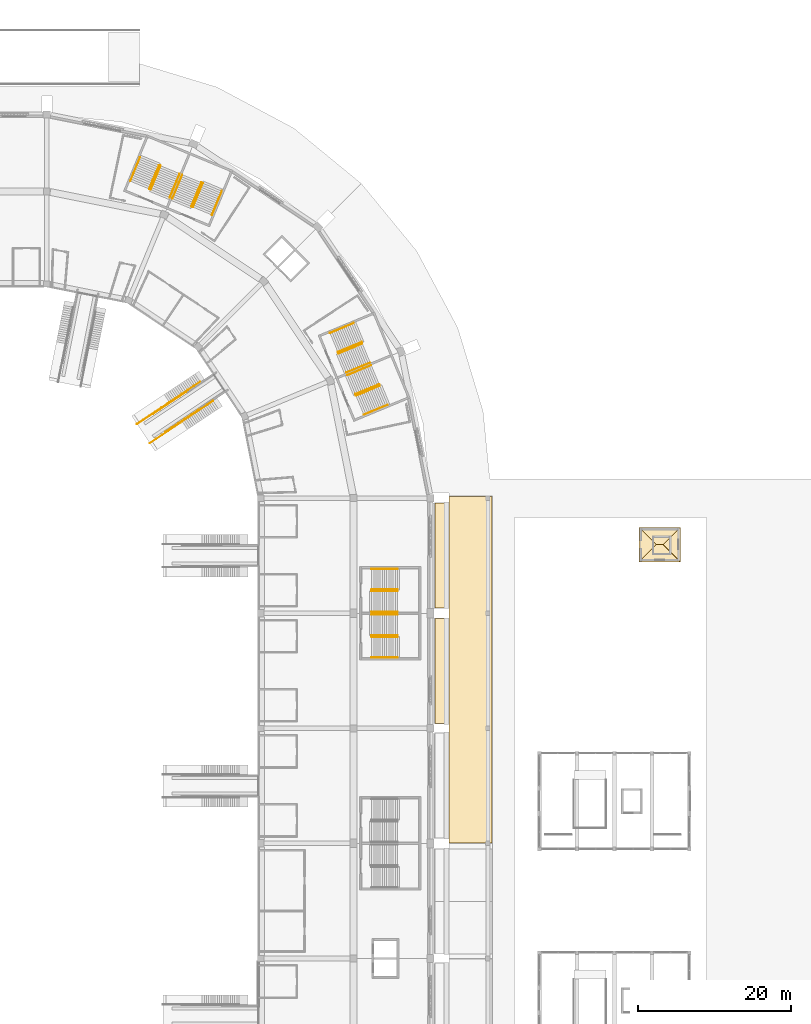
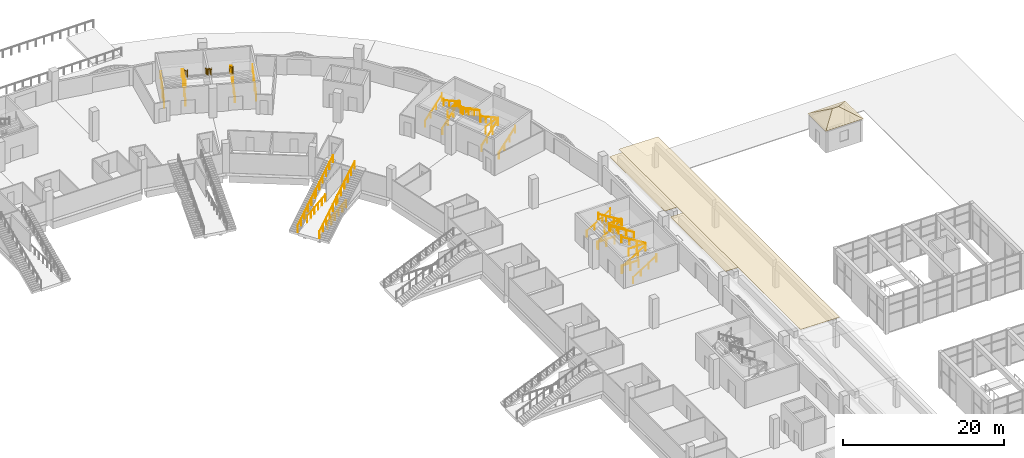
# One storey, part 167 of 175: 38 railings, 7 coverings.
"""IFC4 building model written with IfcOpenShell, lengths in metres."""

import ifcopenshell
import ifcopenshell.guid

model = None  # the IFC model being written
_history = None  # IfcOwnerHistory: only IFC2X3 demands one
_inside = {}  # id of a spatial element -> (the spatial element, [elements in it])
_under = {}  # id of a project, library or spatial element -> (it, [spatial elements below it])
_declared = {}  # id of a project -> (the project, [libraries it declares])
_typed = {}  # id of a type object -> (the type object, [elements of that type])
_made_of = {}  # id of a material, layer set ... -> (it, [elements and type objects made of it])


def new_model(schema):
    """Start an empty IFC model of exactly this schema.

    Asked for "IFC4X3", IfcOpenShell would pick the latest addendum, in which some entities
    have other attributes; the version numbers below select the first issue.
    IFC2X3 requires an IfcOwnerHistory on every rooted entity: one is made here for all.
    """
    global model, _history
    if schema == "IFC4X3":
        model = ifcopenshell.file(schema_version=(4, 3, 0, 0))
    else:
        model = ifcopenshell.file(schema=schema)
    _inside.clear()
    _under.clear()
    _declared.clear()
    _typed.clear()
    _made_of.clear()
    _history = None
    if model.schema == "IFC2X3":
        org = make("IfcOrganization", Name="unknown")
        user = make(
            "IfcPersonAndOrganization",
            ThePerson=make("IfcPerson", FamilyName="unknown"),
            TheOrganization=org,
        )
        app = make(
            "IfcApplication",
            ApplicationDeveloper=org,
            Version="unknown",
            ApplicationFullName="unknown",
            ApplicationIdentifier="unknown",
        )
        _history = make(
            "IfcOwnerHistory",
            OwningUser=user,
            OwningApplication=app,
            ChangeAction="ADDED",
            CreationDate=0,
        )
    return model


def make(cls, **values):
    """One entity of the class cls with the attributes given. An attribute that is None is left unset."""
    return model.create_entity(
        cls, **{name: value for name, value in values.items() if value is not None}
    )


def rooted(cls, **values):
    """An entity with a GlobalId (a new one), such as an element, a storey or a relation."""
    return make(cls, GlobalId=ifcopenshell.guid.new(), OwnerHistory=_history, **values)


def si_unit(unit_type, name, prefix=None):
    """IfcSIUnit, for example si_unit("LENGTHUNIT", "METRE", prefix="MILLI")."""
    return make("IfcSIUnit", UnitType=unit_type, Prefix=prefix, Name=name)


def assignment(units):
    """IfcUnitAssignment: the units of a project."""
    return None if units is None else make("IfcUnitAssignment", Units=units)


def point(xyz):
    """IfcCartesianPoint."""
    return None if xyz is None else make("IfcCartesianPoint", Coordinates=xyz)


def direction(xyz):
    """IfcDirection."""
    return None if xyz is None else make("IfcDirection", DirectionRatios=xyz)


def frame(location, z_axis=None, x_axis=None):
    """IfcAxis2Placement3D, a coordinate frame: its origin and axes. An axis left out is left unset."""
    return make(
        "IfcAxis2Placement3D",
        Location=point(location),
        Axis=direction(z_axis),
        RefDirection=direction(x_axis),
    )


def frame_2d(location, x_axis=None):
    """IfcAxis2Placement2D, a coordinate frame in the plane: its origin and x axis."""
    return make(
        "IfcAxis2Placement2D", Location=point(location), RefDirection=direction(x_axis)
    )


def origin():
    """The frame at (0, 0, 0) with its axes left unset."""
    return frame((0.0, 0.0, 0.0))


def origin_2d():
    """The frame at (0, 0) in the plane with its x axis left unset."""
    return frame_2d((0.0, 0.0))


def place(relative_to, where):
    """IfcLocalPlacement: puts the frame where relative to a parent placement (None: the world)."""
    return make(
        "IfcLocalPlacement", PlacementRelTo=relative_to, RelativePlacement=where
    )


def context(
    kind, dimensions, precision=None, world=None, true_north=None, identifier=None
):
    """IfcGeometricRepresentationContext, for example the 3D "Model" context."""
    return make(
        "IfcGeometricRepresentationContext",
        ContextIdentifier=identifier,
        ContextType=kind,
        CoordinateSpaceDimension=dimensions,
        Precision=precision,
        WorldCoordinateSystem=world,
        TrueNorth=true_north,
    )


def subcontext(parent, identifier, kind, view, scale=None):
    """IfcGeometricRepresentationSubContext, for example "Body" below "Model"."""
    return make(
        "IfcGeometricRepresentationSubContext",
        ContextIdentifier=identifier,
        ContextType=kind,
        ParentContext=parent,
        TargetScale=scale,
        TargetView=view,
    )


def project(units=None, contexts=None):
    """IfcProject with its units and contexts."""
    return rooted(
        "IfcProject",
        Name="project",
        RepresentationContexts=contexts,
        UnitsInContext=assignment(units),
    )


def spatial(cls, under=None, at=None, **own):
    """A site, building, storey or space (cls), placed at a placement, below another one or the project."""
    s = rooted(cls, ObjectPlacement=at, **own)
    if under is not None:
        _under.setdefault(under.id(), (under, []))[1].append(s)
    return s


def polyline(points):
    """IfcPolyline through the points."""
    return make("IfcPolyline", Points=[point(p) for p in points])


def profile(cls, at=None, kind="AREA", **sizes):
    """A parametric profile (cls). Its sizes go by their IFC names, for example OverallWidth=200.0."""
    return make(cls, ProfileType=kind, Position=at, **sizes)


def circle(**sizes):
    """IfcCircleProfileDef."""
    return profile("IfcCircleProfileDef", **sizes)


def outline(outer, holes=None, kind="AREA"):
    """IfcArbitraryClosedProfileDef: a profile drawn as a closed curve; with holes, ...WithVoids."""
    if holes is None:
        return make("IfcArbitraryClosedProfileDef", ProfileType=kind, OuterCurve=outer)
    return make(
        "IfcArbitraryProfileDefWithVoids",
        ProfileType=kind,
        OuterCurve=outer,
        InnerCurves=holes,
    )


def extrude(swept, where, along, depth):
    """IfcExtrudedAreaSolid: the profile swept, set in the frame where, extruded along a direction by depth."""
    return make(
        "IfcExtrudedAreaSolid",
        SweptArea=swept,
        Position=where,
        ExtrudedDirection=direction(along),
        Depth=depth,
    )


def shape(context_of_items, identifier, shape_type, items):
    """IfcShapeRepresentation: the items that make up one representation, for example the "Body"."""
    return make(
        "IfcShapeRepresentation",
        ContextOfItems=context_of_items,
        RepresentationIdentifier=identifier,
        RepresentationType=shape_type,
        Items=items,
    )


def material(Name=None, Category=None):
    """IfcMaterial."""
    return make("IfcMaterial", Name=Name, Category=Category)


def layer(
    of_material, thickness, ventilated=None, Name=None, Category=None, Priority=None
):
    """IfcMaterialLayer: one layer of a wall or slab, of a material (None: an air gap)."""
    return make(
        "IfcMaterialLayer",
        Material=of_material,
        LayerThickness=thickness,
        IsVentilated=ventilated,
        Name=Name,
        Category=Category,
        Priority=Priority,
    )


def layer_set(layers, Name=None):
    """IfcMaterialLayerSet."""
    return make("IfcMaterialLayerSet", MaterialLayers=layers, LayerSetName=Name)


def made_of(thing, what):
    """Note that an element or type object is made of a material, layer set ...; save() writes the relation."""
    if what is not None:
        _made_of.setdefault(what.id(), (what, []))[1].append(thing)
    return thing


def type_object(cls, material=None, **own):
    """A type object (cls), such as IfcWallType, which elements share."""
    return made_of(rooted(cls, **own), material)


def element(
    cls,
    number,
    at=None,
    inside=None,
    cuts=None,
    type_object=None,
    material=None,
    context=None,
    identifier="Body",
    shape_type=None,
    held_by="IfcProductDefinitionShape",
    body=None,
    shapes=None,
    **own,
):
    """One element of the class cls, such as IfcWall. Its Tag is "e" and its number.

    at: its placement. inside: the storey or other place that contains it. cuts: it is an
    opening in that element (IfcRelVoidsElement). A single representation is given by context,
    identifier, shape_type and body (its items); several are given by shapes. held_by: the class
    of the entity that holds the representations. save() writes the other relations.
    """
    e = rooted(cls, Tag="e%d" % number, ObjectPlacement=at, **own)
    if body is not None:
        shapes = [shape(context, identifier, shape_type, body)]
    if shapes is not None:
        e.Representation = make(held_by, Representations=shapes)
    if inside is not None:
        _inside.setdefault(inside.id(), (inside, []))[1].append(e)
    if cuts is not None:
        rooted(
            "IfcRelVoidsElement", RelatingBuildingElement=cuts, RelatedOpeningElement=e
        )
    if type_object is not None:
        _typed.setdefault(type_object.id(), (type_object, []))[1].append(e)
    return made_of(e, material)


def aggregate(whole, parts):
    """IfcRelAggregates: a whole, such as a stair, and the parts it consists of."""
    return rooted("IfcRelAggregates", RelatingObject=whole, RelatedObjects=parts)


def save(model, path):
    """Write the relations noted so far, then the file.

    IfcRelAggregates (storeys below a building ...), IfcRelContainedInSpatialStructure (elements
    in a storey), IfcRelDefinesByType, IfcRelAssociatesMaterial and IfcRelDeclares: one each for
    every whole, place, type object, material and project.
    """
    for whole, parts in _under.values():
        aggregate(whole, parts)
    for where, things in _inside.values():
        rooted(
            "IfcRelContainedInSpatialStructure",
            RelatedElements=things,
            RelatingStructure=where,
        )
    for kind, things in _typed.values():
        rooted("IfcRelDefinesByType", RelatedObjects=things, RelatingType=kind)
    for what, things in _made_of.values():
        rooted("IfcRelAssociatesMaterial", RelatedObjects=things, RelatingMaterial=what)
    for by, libraries in _declared.values():
        rooted("IfcRelDeclares", RelatingContext=by, RelatedDefinitions=libraries)
    model.write(path)


model = new_model("IFC4")

# Units and contexts
model_context = context("Model", 3, precision=1e-05, world=origin(), true_north=direction((0.0, 1.0)))
body_context = subcontext(model_context, "Body", "Model", "MODEL_VIEW")
ifc_project = project(units=[si_unit("LENGTHUNIT", "METRE"), si_unit("AREAUNIT", "SQUARE_METRE"), si_unit("VOLUMEUNIT", "CUBIC_METRE"), si_unit("PLANEANGLEUNIT", "RADIAN"), si_unit("MASSUNIT", "GRAM", prefix="KILO")], contexts=[model_context])

# Site, building, storey
site_placement = place(None, origin())
site = spatial("IfcSite", under=ifc_project, at=site_placement, CompositionType="ELEMENT")
building_placement = place(site_placement, origin())
building = spatial("IfcBuilding", under=site, at=building_placement, Name="Ogive Plaza Stadium", CompositionType="ELEMENT")
storey_placement = place(building_placement, origin())
storey = spatial("IfcBuildingStorey", under=building, at=storey_placement, Name="L00", CompositionType="ELEMENT", Elevation=0.0)

# Coverings
ifc_material_1 = material(Name="Zinc sheet", Category="metal")
ifc_layer_1 = layer(ifc_material_1, 0.0400390625)
ifc_layer_set_1 = layer_set([ifc_layer_1], Name="Arcade roof zinc 40")
covering_type_1 = type_object("IfcCoveringType", Name="Arcade roof zinc 40", PredefinedType="ROOFING", material=ifc_layer_set_1)
covering_1_placement = place(storey_placement, frame((86.419921875, 52.739990234375, 4.230712890625), z_axis=(0.016129032122, 0.0, 0.999869918701), x_axis=(0.999869918701, 0.0, -0.016129032122)))
element("IfcCovering", 1, at=covering_1_placement, inside=storey, type_object=covering_type_1, Name="Arcade roof covering 1", PredefinedType="ROOFING", context=body_context, shape_type="SweptSolid", body=[
    extrude(outline(polyline([(0.0, 0.0), (5.6308594226340976, 0.0), (5.6308594226340976, -45.169921875), (0.0, -45.169921875), (0.0, 0.0)])), origin(), (0.0, 0.0, -1.0), 0.0400390625),
])
for number, where, z_axis, x_axis, name in (
    (2, (84.60009765625, 38.2099609375, 4.260009765625), (0.016096653187, 0.0, 0.999870440485), (0.999870440485, 0.0, -0.016096653187), "Arcade roof covering 1 bay 1"),
    (3, (84.60009765625, 23.110107421875, 4.260009765625), (0.016096653187, 0.0, 0.999870440485), (0.999870440485, 0.0, -0.016096653187), "Arcade roof covering 1 bay 2"),
):
    element("IfcCovering", number, at=place(storey_placement, frame(where, z_axis=z_axis, x_axis=x_axis)), inside=storey, type_object=covering_type_1, Name=name, PredefinedType="ROOFING", context=body_context, shape_type="SweptSolid", body=[
        extrude(outline(polyline([(0.0, 0.0), (1.820060024843635, 0.0), (1.820060024843635, 13.679931640625), (0.0, 13.679931640625), (0.0, 0.0)])), origin(), (0.0, 0.0, -1.0), 0.0400390625),
    ])

# Railings
ifc_material_2 = material(Name="Steel ASTM A572 Grade 50", Category="steel")
railing_type_1 = type_object("IfcRailingType", Name="Guard 1100", PredefinedType="GUARDRAIL", material=ifc_material_2)
for number, where, name in (
    (4, (76.35009765625, 34.52490234375, 0.0), "Stair well guard ST02A L00"),
    (5, (77.31005859375, 34.52490234375, 2.25), "Stair well guard ST02A L00"),
    (6, (76.35009765625, 40.47509765625, 0.0), "Stair well guard ST02B L00"),
    (7, (77.31005859375, 40.47509765625, 2.25), "Stair well guard ST02B L00"),
):
    element("IfcRailing", number, at=place(storey_placement, frame(where)), inside=storey, type_object=railing_type_1, Name=name, PredefinedType="GUARDRAIL", context=body_context, shape_type="SweptSolid", body=[
        extrude(circle(Radius=0.02392578125, at=origin_2d()), frame((0.0, 0.0, 1.076171875), z_axis=(1.0, 0.0, 0.0), x_axis=(0.0, 1.0, 0.0)), (0.0, 0.0, 1.0), 2.39990234375),
        extrude(circle(Radius=0.02099609375, at=origin_2d()), origin(), (0.0, 0.0, 1.0), 1.052001953125),
        extrude(circle(Radius=0.02099609375, at=origin_2d()), frame((1.199951171875, 0.0, 0.0)), (0.0, 0.0, 1.0), 1.052001953125),
        extrude(circle(Radius=0.02099609375, at=origin_2d()), frame((2.39990234375, 0.0, 0.0)), (0.0, 0.0, 1.0), 1.052001953125),
    ])
for number, where, name in (
    (8, (53.322509765625, 91.374755859375, 2.25), "Stair well guard ST38A L00"),
    (9, (47.825439453125, 93.651611328125, 2.25), "Stair well guard ST38B L00"),
):
    element("IfcRailing", number, at=place(storey_placement, frame(where)), inside=storey, type_object=railing_type_1, Name=name, PredefinedType="GUARDRAIL", context=body_context, shape_type="SweptSolid", body=[
        extrude(circle(Radius=0.02392578125, at=origin_2d()), frame((0.0, 0.0, 1.076171875), z_axis=(0.382693194178, 0.923875488976, 0.0), x_axis=(-0.923875488976, 0.382693194178, 0.0)), (0.0, 0.0, 1.0), 2.39990234375),
        extrude(circle(Radius=0.02099609375, at=origin_2d()), origin(), (0.0, 0.0, 1.0), 1.052001953125),
        extrude(circle(Radius=0.02099609375, at=origin_2d()), frame((0.459228515625, 1.108642578125, 0.0)), (0.0, 0.0, 1.0), 1.052001953125),
        extrude(circle(Radius=0.02099609375, at=origin_2d()), frame((0.91845703125, 2.21728515625, 0.0)), (0.0, 0.0, 1.0), 1.052001953125),
    ])
for number, where, name in (
    (10, (75.151611328125, 66.325439453125, 2.25), "Stair well guard ST40A L00"),
    (11, (72.874755859375, 71.822509765625, 2.25), "Stair well guard ST40B L00"),
):
    element("IfcRailing", number, at=place(storey_placement, frame(where)), inside=storey, type_object=railing_type_1, Name=name, PredefinedType="GUARDRAIL", context=body_context, shape_type="SweptSolid", body=[
        extrude(circle(Radius=0.02392578125, at=origin_2d()), frame((0.0, 0.0, 1.076171875), z_axis=(0.923875488976, 0.382693194178, 0.0), x_axis=(-0.382693194178, 0.923875488976, 0.0)), (0.0, 0.0, 1.0), 2.39990234375),
        extrude(circle(Radius=0.02099609375, at=origin_2d()), origin(), (0.0, 0.0, 1.0), 1.052001953125),
        extrude(circle(Radius=0.02099609375, at=origin_2d()), frame((1.108642578125, 0.459228515625, 0.0)), (0.0, 0.0, 1.0), 1.052001953125),
        extrude(circle(Radius=0.02099609375, at=origin_2d()), frame((2.21728515625, 0.91845703125, 0.0)), (0.0, 0.0, 1.0), 1.052001953125),
    ])
for number, where, name in (
    (12, (47.43017578125, 59.669677734375, 0.125), "Vomitory guard B39"),
    (13, (51.670654296875, 62.503173828125, 2.375), "Vomitory guard B39"),
    (14, (45.763427734375, 62.1640625, 0.125), "Vomitory guard B39"),
    (15, (50.00390625, 64.99755859375, 2.375), "Vomitory guard B39"),
):
    element("IfcRailing", number, at=place(storey_placement, frame(where)), inside=storey, type_object=railing_type_1, Name=name, PredefinedType="GUARDRAIL", context=body_context, shape_type="SweptSolid", body=[
        extrude(circle(Radius=0.02392578125, at=origin_2d()), frame((0.0, 0.0, 1.076171875), z_axis=(0.760721903755, 0.508307290116, 0.403640785801), x_axis=(-0.555577158095, 0.831464985073, 0.0)), (0.0, 0.0, 1.0), 5.2646484375),
        extrude(circle(Radius=0.02099609375, at=origin_2d()), origin(), (0.0, 0.0, 1.0), 1.052001953125),
        extrude(circle(Radius=0.02099609375, at=origin_2d()), frame((0.801025390625, 0.53515625, 0.425048828125)), (0.0, 0.0, 1.0), 1.052001953125),
        extrude(circle(Radius=0.02099609375, at=origin_2d()), frame((1.60205078125, 1.0703125, 0.85009765625)), (0.0, 0.0, 1.0), 1.052001953125),
        extrude(circle(Radius=0.02099609375, at=origin_2d()), frame((2.40283203125, 1.605712890625, 1.27490234375)), (0.0, 0.0, 1.0), 1.052001953125),
        extrude(circle(Radius=0.02099609375, at=origin_2d()), frame((3.203857421875, 2.140869140625, 1.699951171875)), (0.0, 0.0, 1.0), 1.052001953125),
        extrude(circle(Radius=0.02099609375, at=origin_2d()), frame((4.0048828125, 2.676025390625, 2.125)), (0.0, 0.0, 1.0), 1.052001953125),
    ])
railing_1_placement = place(storey_placement, frame((49.458740234375, 61.121337890625, 0.0)))
element("IfcRailing", 16, at=railing_1_placement, inside=storey, type_object=railing_type_1, Name="Vomitory edge guard B39", PredefinedType="GUARDRAIL", context=body_context, shape_type="SweptSolid", body=[
    extrude(circle(Radius=0.02392578125, at=origin_2d()), frame((0.0, 0.0, 1.076171875), z_axis=(0.831459841427, 0.55558485589, 0.0), x_axis=(-0.55558485589, 0.831459841427, 0.0)), (0.0, 0.0, 1.0), 5.15673828125),
    extrude(circle(Radius=0.02099609375, at=origin_2d()), origin(), (0.0, 0.0, 1.0), 1.052001953125),
    extrude(circle(Radius=0.02099609375, at=origin_2d()), frame((0.857421875, 0.572998046875, 0.0)), (0.0, 0.0, 1.0), 1.052001953125),
    extrude(circle(Radius=0.02099609375, at=origin_2d()), frame((1.715087890625, 1.14599609375, 0.0)), (0.0, 0.0, 1.0), 1.052001953125),
    extrude(circle(Radius=0.02099609375, at=origin_2d()), frame((2.572509765625, 1.718994140625, 0.0)), (0.0, 0.0, 1.0), 1.052001953125),
    extrude(circle(Radius=0.02099609375, at=origin_2d()), frame((3.43017578125, 2.2919921875, 0.0)), (0.0, 0.0, 1.0), 1.052001953125),
    extrude(circle(Radius=0.02099609375, at=origin_2d()), frame((4.28759765625, 2.864990234375, 0.0)), (0.0, 0.0, 1.0), 1.052001953125),
])
railing_2_placement = place(storey_placement, frame((47.881103515625, 63.48291015625, 0.0)))
element("IfcRailing", 17, at=railing_2_placement, inside=storey, type_object=railing_type_1, Name="Vomitory edge guard B39", PredefinedType="GUARDRAIL", context=body_context, shape_type="SweptSolid", body=[
    extrude(circle(Radius=0.02392578125, at=origin_2d()), frame((0.0, 0.0, 1.076171875), z_axis=(0.831481711871, 0.555552124308, 0.0), x_axis=(-0.555552124308, 0.831481711871, 0.0)), (0.0, 0.0, 1.0), 5.156494140625),
    extrude(circle(Radius=0.02099609375, at=origin_2d()), origin(), (0.0, 0.0, 1.0), 1.052001953125),
    extrude(circle(Radius=0.02099609375, at=origin_2d()), frame((0.857421875, 0.572998046875, 0.0)), (0.0, 0.0, 1.0), 1.052001953125),
    extrude(circle(Radius=0.02099609375, at=origin_2d()), frame((1.715087890625, 1.14599609375, 0.0)), (0.0, 0.0, 1.0), 1.052001953125),
    extrude(circle(Radius=0.02099609375, at=origin_2d()), frame((2.572509765625, 1.71875, 0.0)), (0.0, 0.0, 1.0), 1.052001953125),
    extrude(circle(Radius=0.02099609375, at=origin_2d()), frame((3.43017578125, 2.291748046875, 0.0)), (0.0, 0.0, 1.0), 1.052001953125),
    extrude(circle(Radius=0.02099609375, at=origin_2d()), frame((4.28759765625, 2.86474609375, 0.0)), (0.0, 0.0, 1.0), 1.052001953125),
])
ifc_material_3 = material(Name="Steel ASTM A572 Grade 50", Category="steel")
railing_type_2 = type_object("IfcRailingType", Name="Handrail 900", PredefinedType="HANDRAIL", material=ifc_material_3)
for number, where, name in (
    (18, (76.35009765625, 31.735107421875, 0.173095703125), "Handrail ST02A L00"),
    (19, (76.35009765625, 34.4150390625, 0.173095703125), "Handrail ST02A L00"),
):
    element("IfcRailing", number, at=place(storey_placement, frame(where)), inside=storey, type_object=railing_type_2, Name=name, PredefinedType="HANDRAIL", context=body_context, shape_type="SweptSolid", body=[
        extrude(circle(Radius=0.02392578125, at=origin_2d()), frame((0.0, 0.0, 0.8759765625), z_axis=(0.850606129759, 0.0, 0.525803396734), x_axis=(0.0, 1.0, 0.0)), (0.0, 0.0, 1.0), 3.949951171875),
        extrude(circle(Radius=0.02099609375, at=origin_2d()), origin(), (0.0, 0.0, 1.0), 0.851806640625),
        extrude(circle(Radius=0.02099609375, at=origin_2d()), frame((1.119873046875, 0.0, 0.6923828125)), (0.0, 0.0, 1.0), 0.851806640625),
        extrude(circle(Radius=0.02099609375, at=origin_2d()), frame((2.239990234375, 0.0, 1.384521484375)), (0.0, 0.0, 1.0), 0.851806640625),
        extrude(circle(Radius=0.02099609375, at=origin_2d()), frame((3.35986328125, 0.0, 2.076904296875)), (0.0, 0.0, 1.0), 1.10009765625),
    ])
for number, where, name in (
    (20, (79.7099609375, 34.635009765625, 2.423095703125), "Handrail ST02A L00"),
    (21, (79.7099609375, 37.31494140625, 2.423095703125), "Handrail ST02A L00"),
):
    element("IfcRailing", number, at=place(storey_placement, frame(where)), inside=storey, type_object=railing_type_2, Name=name, PredefinedType="HANDRAIL", context=body_context, shape_type="SweptSolid", body=[
        extrude(circle(Radius=0.02392578125, at=origin_2d()), frame((0.0, 0.0, 0.8759765625), z_axis=(-0.850606129759, 0.0, 0.525803396734), x_axis=(0.0, -1.0, 0.0)), (0.0, 0.0, 1.0), 3.949951171875),
        extrude(circle(Radius=0.02099609375, at=origin_2d()), origin(), (0.0, 0.0, 1.0), 0.851806640625),
        extrude(circle(Radius=0.02099609375, at=origin_2d()), frame((-1.119873046875, 0.0, 0.6923828125)), (0.0, 0.0, 1.0), 0.851806640625),
        extrude(circle(Radius=0.02099609375, at=origin_2d()), frame((-2.239990234375, 0.0, 1.384521484375)), (0.0, 0.0, 1.0), 0.851806640625),
        extrude(circle(Radius=0.02099609375, at=origin_2d()), frame((-3.35986328125, 0.0, 2.076904296875)), (0.0, 0.0, 1.0), 1.10009765625),
    ])
for number, where, name in (
    (22, (76.35009765625, 40.5849609375, 0.173095703125), "Handrail ST02B L00"),
    (23, (76.35009765625, 43.264892578125, 0.173095703125), "Handrail ST02B L00"),
):
    element("IfcRailing", number, at=place(storey_placement, frame(where)), inside=storey, type_object=railing_type_2, Name=name, PredefinedType="HANDRAIL", context=body_context, shape_type="SweptSolid", body=[
        extrude(circle(Radius=0.02392578125, at=origin_2d()), frame((0.0, 0.0, 0.8759765625), z_axis=(0.850606129759, 0.0, 0.525803396734), x_axis=(0.0, 1.0, 0.0)), (0.0, 0.0, 1.0), 3.949951171875),
        extrude(circle(Radius=0.02099609375, at=origin_2d()), origin(), (0.0, 0.0, 1.0), 0.851806640625),
        extrude(circle(Radius=0.02099609375, at=origin_2d()), frame((1.119873046875, 0.0, 0.6923828125)), (0.0, 0.0, 1.0), 0.851806640625),
        extrude(circle(Radius=0.02099609375, at=origin_2d()), frame((2.239990234375, 0.0, 1.384521484375)), (0.0, 0.0, 1.0), 0.851806640625),
        extrude(circle(Radius=0.02099609375, at=origin_2d()), frame((3.35986328125, 0.0, 2.076904296875)), (0.0, 0.0, 1.0), 1.10009765625),
    ])
for number, where, name in (
    (24, (79.7099609375, 37.68505859375, 2.423095703125), "Handrail ST02B L00"),
    (25, (79.7099609375, 40.364990234375, 2.423095703125), "Handrail ST02B L00"),
):
    element("IfcRailing", number, at=place(storey_placement, frame(where)), inside=storey, type_object=railing_type_2, Name=name, PredefinedType="HANDRAIL", context=body_context, shape_type="SweptSolid", body=[
        extrude(circle(Radius=0.02392578125, at=origin_2d()), frame((0.0, 0.0, 0.8759765625), z_axis=(-0.850606129759, 0.0, 0.525803396734), x_axis=(0.0, -1.0, 0.0)), (0.0, 0.0, 1.0), 3.949951171875),
        extrude(circle(Radius=0.02099609375, at=origin_2d()), origin(), (0.0, 0.0, 1.0), 0.851806640625),
        extrude(circle(Radius=0.02099609375, at=origin_2d()), frame((-1.119873046875, 0.0, 0.6923828125)), (0.0, 0.0, 1.0), 0.851806640625),
        extrude(circle(Radius=0.02099609375, at=origin_2d()), frame((-2.239990234375, 0.0, 1.384521484375)), (0.0, 0.0, 1.0), 0.851806640625),
        extrude(circle(Radius=0.02099609375, at=origin_2d()), frame((-3.35986328125, 0.0, 2.076904296875)), (0.0, 0.0, 1.0), 1.10009765625),
    ])
railing_3_placement = place(storey_placement, frame((55.53271484375, 89.420166015625, 0.173095703125)))
element("IfcRailing", 26, at=railing_3_placement, inside=storey, type_object=railing_type_2, Name="Handrail ST38A L00", PredefinedType="HANDRAIL", context=body_context, shape_type="SweptSolid", body=[
    extrude(circle(Radius=0.02392578125, at=origin_2d()), frame((0.0, 0.0, 0.8759765625), z_axis=(0.32553207776, 0.785862990074, 0.525783441334), x_axis=(-0.923872479269, 0.382700459954, 0.0)), (0.0, 0.0, 1.0), 3.9501953125),
    extrude(circle(Radius=0.02099609375, at=origin_2d()), origin(), (0.0, 0.0, 1.0), 0.851806640625),
    extrude(circle(Radius=0.02099609375, at=origin_2d()), frame((0.4287109375, 1.03466796875, 0.6923828125)), (0.0, 0.0, 1.0), 0.851806640625),
    extrude(circle(Radius=0.02099609375, at=origin_2d()), frame((0.857177734375, 2.069580078125, 1.384521484375)), (0.0, 0.0, 1.0), 0.851806640625),
    extrude(circle(Radius=0.02099609375, at=origin_2d()), frame((1.285888671875, 3.104248046875, 2.076904296875)), (0.0, 0.0, 1.0), 1.10009765625),
])
railing_4_placement = place(storey_placement, frame((53.056884765625, 90.44580078125, 0.173095703125)))
element("IfcRailing", 27, at=railing_4_placement, inside=storey, type_object=railing_type_2, Name="Handrail ST38A L00", PredefinedType="HANDRAIL", context=body_context, shape_type="SweptSolid", body=[
    extrude(circle(Radius=0.02392578125, at=origin_2d()), frame((0.0, 0.0, 0.8759765625), z_axis=(0.325476819766, 0.785878800478, 0.525794019321), x_axis=(-0.923898168054, 0.382638439086, 0.0)), (0.0, 0.0, 1.0), 3.949951171875),
    extrude(circle(Radius=0.02099609375, at=origin_2d()), origin(), (0.0, 0.0, 1.0), 0.851806640625),
    extrude(circle(Radius=0.02099609375, at=origin_2d()), frame((0.428466796875, 1.03466796875, 0.6923828125)), (0.0, 0.0, 1.0), 0.851806640625),
    extrude(circle(Radius=0.02099609375, at=origin_2d()), frame((0.857177734375, 2.069580078125, 1.384521484375)), (0.0, 0.0, 1.0), 0.851806640625),
    extrude(circle(Radius=0.02099609375, at=origin_2d()), frame((1.28564453125, 3.104248046875, 2.076904296875)), (0.0, 0.0, 1.0), 1.10009765625),
])
railing_5_placement = place(storey_placement, frame((54.139404296875, 93.634033203125, 2.423095703125)))
element("IfcRailing", 28, at=railing_5_placement, inside=storey, type_object=railing_type_2, Name="Handrail ST38A L00", PredefinedType="HANDRAIL", context=body_context, shape_type="SweptSolid", body=[
    extrude(circle(Radius=0.02392578125, at=origin_2d()), frame((0.0, 0.0, 0.8759765625), z_axis=(-0.325547889718, -0.78583935255, 0.525808980033), x_axis=(0.923861836433, -0.382726151683, 0.0)), (0.0, 0.0, 1.0), 3.949951171875),
    extrude(circle(Radius=0.02099609375, at=origin_2d()), origin(), (0.0, 0.0, 1.0), 0.851806640625),
    extrude(circle(Radius=0.02099609375, at=origin_2d()), frame((-0.4287109375, -1.03466796875, 0.6923828125)), (0.0, 0.0, 1.0), 0.851806640625),
    extrude(circle(Radius=0.02099609375, at=origin_2d()), frame((-0.857177734375, -2.0693359375, 1.384521484375)), (0.0, 0.0, 1.0), 0.851806640625),
    extrude(circle(Radius=0.02099609375, at=origin_2d()), frame((-1.285888671875, -3.10400390625, 2.076904296875)), (0.0, 0.0, 1.0), 1.10009765625),
])
railing_6_placement = place(storey_placement, frame((51.663330078125, 94.65966796875, 2.423095703125)))
element("IfcRailing", 29, at=railing_6_placement, inside=storey, type_object=railing_type_2, Name="Handrail ST38A L00", PredefinedType="HANDRAIL", context=body_context, shape_type="SweptSolid", body=[
    extrude(circle(Radius=0.02392578125, at=origin_2d()), frame((0.0, 0.0, 0.8759765625), z_axis=(-0.32553207776, -0.785862990074, 0.525783441334), x_axis=(0.923872479269, -0.382700459954, 0.0)), (0.0, 0.0, 1.0), 3.9501953125),
    extrude(circle(Radius=0.02099609375, at=origin_2d()), origin(), (0.0, 0.0, 1.0), 0.851806640625),
    extrude(circle(Radius=0.02099609375, at=origin_2d()), frame((-0.4287109375, -1.03466796875, 0.6923828125)), (0.0, 0.0, 1.0), 0.851806640625),
    extrude(circle(Radius=0.02099609375, at=origin_2d()), frame((-0.857177734375, -2.069580078125, 1.384521484375)), (0.0, 0.0, 1.0), 0.851806640625),
    extrude(circle(Radius=0.02099609375, at=origin_2d()), frame((-1.285888671875, -3.104248046875, 2.076904296875)), (0.0, 0.0, 1.0), 1.10009765625),
])
for number, where, name in (
    (30, (47.3564453125, 92.806884765625, 0.173095703125), "Handrail ST38B L00"),
    (31, (44.88037109375, 93.83251953125, 0.173095703125), "Handrail ST38B L00"),
):
    element("IfcRailing", number, at=place(storey_placement, frame(where)), inside=storey, type_object=railing_type_2, Name=name, PredefinedType="HANDRAIL", context=body_context, shape_type="SweptSolid", body=[
        extrude(circle(Radius=0.02392578125, at=origin_2d()), frame((0.0, 0.0, 0.8759765625), z_axis=(0.32553207776, 0.785862990074, 0.525783441334), x_axis=(-0.923872479269, 0.382700459954, 0.0)), (0.0, 0.0, 1.0), 3.9501953125),
        extrude(circle(Radius=0.02099609375, at=origin_2d()), origin(), (0.0, 0.0, 1.0), 0.851806640625),
        extrude(circle(Radius=0.02099609375, at=origin_2d()), frame((0.4287109375, 1.03466796875, 0.6923828125)), (0.0, 0.0, 1.0), 0.851806640625),
        extrude(circle(Radius=0.02099609375, at=origin_2d()), frame((0.857177734375, 2.069580078125, 1.384521484375)), (0.0, 0.0, 1.0), 0.851806640625),
        extrude(circle(Radius=0.02099609375, at=origin_2d()), frame((1.285888671875, 3.104248046875, 2.076904296875)), (0.0, 0.0, 1.0), 1.10009765625),
    ])
railing_7_placement = place(storey_placement, frame((51.321533203125, 94.80126953125, 2.423095703125)))
element("IfcRailing", 32, at=railing_7_placement, inside=storey, type_object=railing_type_2, Name="Handrail ST38B L00", PredefinedType="HANDRAIL", context=body_context, shape_type="SweptSolid", body=[
    extrude(circle(Radius=0.02392578125, at=origin_2d()), frame((0.0, 0.0, 0.8759765625), z_axis=(-0.32553207776, -0.785862990074, 0.525783441334), x_axis=(0.923872479269, -0.382700459954, 0.0)), (0.0, 0.0, 1.0), 3.9501953125),
    extrude(circle(Radius=0.02099609375, at=origin_2d()), origin(), (0.0, 0.0, 1.0), 0.851806640625),
    extrude(circle(Radius=0.02099609375, at=origin_2d()), frame((-0.4287109375, -1.03466796875, 0.6923828125)), (0.0, 0.0, 1.0), 0.851806640625),
    extrude(circle(Radius=0.02099609375, at=origin_2d()), frame((-0.857177734375, -2.069580078125, 1.384521484375)), (0.0, 0.0, 1.0), 0.851806640625),
    extrude(circle(Radius=0.02099609375, at=origin_2d()), frame((-1.285888671875, -3.104248046875, 2.076904296875)), (0.0, 0.0, 1.0), 1.10009765625),
])
railing_8_placement = place(storey_placement, frame((48.845458984375, 95.826904296875, 2.423095703125)))
element("IfcRailing", 33, at=railing_8_placement, inside=storey, type_object=railing_type_2, Name="Handrail ST38B L00", PredefinedType="HANDRAIL", context=body_context, shape_type="SweptSolid", body=[
    extrude(circle(Radius=0.02392578125, at=origin_2d()), frame((0.0, 0.0, 0.8759765625), z_axis=(-0.325476819766, -0.785878800478, 0.525794019321), x_axis=(0.923898168054, -0.382638439086, 0.0)), (0.0, 0.0, 1.0), 3.949951171875),
    extrude(circle(Radius=0.02099609375, at=origin_2d()), origin(), (0.0, 0.0, 1.0), 0.851806640625),
    extrude(circle(Radius=0.02099609375, at=origin_2d()), frame((-0.428466796875, -1.03466796875, 0.6923828125)), (0.0, 0.0, 1.0), 0.851806640625),
    extrude(circle(Radius=0.02099609375, at=origin_2d()), frame((-0.857177734375, -2.069580078125, 1.384521484375)), (0.0, 0.0, 1.0), 0.851806640625),
    extrude(circle(Radius=0.02099609375, at=origin_2d()), frame((-1.28564453125, -3.104248046875, 2.076904296875)), (0.0, 0.0, 1.0), 1.10009765625),
])
for number, where, name in (
    (34, (75.33251953125, 63.38037109375, 0.173095703125), "Handrail ST40A L00"),
    (35, (74.306884765625, 65.8564453125, 0.173095703125), "Handrail ST40A L00"),
):
    element("IfcRailing", number, at=place(storey_placement, frame(where)), inside=storey, type_object=railing_type_2, Name=name, PredefinedType="HANDRAIL", context=body_context, shape_type="SweptSolid", body=[
        extrude(circle(Radius=0.02392578125, at=origin_2d()), frame((0.0, 0.0, 0.8759765625), z_axis=(0.785862990074, 0.32553207776, 0.525783441334), x_axis=(-0.382700459954, 0.923872479269, 0.0)), (0.0, 0.0, 1.0), 3.9501953125),
        extrude(circle(Radius=0.02099609375, at=origin_2d()), origin(), (0.0, 0.0, 1.0), 0.851806640625),
        extrude(circle(Radius=0.02099609375, at=origin_2d()), frame((1.03466796875, 0.4287109375, 0.6923828125)), (0.0, 0.0, 1.0), 0.851806640625),
        extrude(circle(Radius=0.02099609375, at=origin_2d()), frame((2.069580078125, 0.857177734375, 1.384521484375)), (0.0, 0.0, 1.0), 0.851806640625),
        extrude(circle(Radius=0.02099609375, at=origin_2d()), frame((3.104248046875, 1.285888671875, 2.076904296875)), (0.0, 0.0, 1.0), 1.10009765625),
    ])
railing_9_placement = place(storey_placement, frame((77.326904296875, 67.345458984375, 2.423095703125)))
element("IfcRailing", 36, at=railing_9_placement, inside=storey, type_object=railing_type_2, Name="Handrail ST40A L00", PredefinedType="HANDRAIL", context=body_context, shape_type="SweptSolid", body=[
    extrude(circle(Radius=0.02392578125, at=origin_2d()), frame((0.0, 0.0, 0.8759765625), z_axis=(-0.785878800478, -0.325476819766, 0.525794019321), x_axis=(0.382638439086, -0.923898168054, 0.0)), (0.0, 0.0, 1.0), 3.949951171875),
    extrude(circle(Radius=0.02099609375, at=origin_2d()), origin(), (0.0, 0.0, 1.0), 0.851806640625),
    extrude(circle(Radius=0.02099609375, at=origin_2d()), frame((-1.03466796875, -0.428466796875, 0.6923828125)), (0.0, 0.0, 1.0), 0.851806640625),
    extrude(circle(Radius=0.02099609375, at=origin_2d()), frame((-2.069580078125, -0.857177734375, 1.384521484375)), (0.0, 0.0, 1.0), 0.851806640625),
    extrude(circle(Radius=0.02099609375, at=origin_2d()), frame((-3.104248046875, -1.28564453125, 2.076904296875)), (0.0, 0.0, 1.0), 1.10009765625),
])
railing_10_placement = place(storey_placement, frame((76.30126953125, 69.821533203125, 2.423095703125)))
element("IfcRailing", 37, at=railing_10_placement, inside=storey, type_object=railing_type_2, Name="Handrail ST40A L00", PredefinedType="HANDRAIL", context=body_context, shape_type="SweptSolid", body=[
    extrude(circle(Radius=0.02392578125, at=origin_2d()), frame((0.0, 0.0, 0.8759765625), z_axis=(-0.785862990074, -0.32553207776, 0.525783441334), x_axis=(0.382700459954, -0.923872479269, 0.0)), (0.0, 0.0, 1.0), 3.9501953125),
    extrude(circle(Radius=0.02099609375, at=origin_2d()), origin(), (0.0, 0.0, 1.0), 0.851806640625),
    extrude(circle(Radius=0.02099609375, at=origin_2d()), frame((-1.03466796875, -0.4287109375, 0.6923828125)), (0.0, 0.0, 1.0), 0.851806640625),
    extrude(circle(Radius=0.02099609375, at=origin_2d()), frame((-2.069580078125, -0.857177734375, 1.384521484375)), (0.0, 0.0, 1.0), 0.851806640625),
    extrude(circle(Radius=0.02099609375, at=origin_2d()), frame((-3.104248046875, -1.285888671875, 2.076904296875)), (0.0, 0.0, 1.0), 1.10009765625),
])
railing_11_placement = place(storey_placement, frame((71.94580078125, 71.556884765625, 0.173095703125)))
element("IfcRailing", 38, at=railing_11_placement, inside=storey, type_object=railing_type_2, Name="Handrail ST40B L00", PredefinedType="HANDRAIL", context=body_context, shape_type="SweptSolid", body=[
    extrude(circle(Radius=0.02392578125, at=origin_2d()), frame((0.0, 0.0, 0.8759765625), z_axis=(0.785878800478, 0.325476819766, 0.525794019321), x_axis=(-0.382638439086, 0.923898168054, 0.0)), (0.0, 0.0, 1.0), 3.949951171875),
    extrude(circle(Radius=0.02099609375, at=origin_2d()), origin(), (0.0, 0.0, 1.0), 0.851806640625),
    extrude(circle(Radius=0.02099609375, at=origin_2d()), frame((1.03466796875, 0.428466796875, 0.6923828125)), (0.0, 0.0, 1.0), 0.851806640625),
    extrude(circle(Radius=0.02099609375, at=origin_2d()), frame((2.069580078125, 0.857177734375, 1.384521484375)), (0.0, 0.0, 1.0), 0.851806640625),
    extrude(circle(Radius=0.02099609375, at=origin_2d()), frame((3.104248046875, 1.28564453125, 2.076904296875)), (0.0, 0.0, 1.0), 1.10009765625),
])
railing_12_placement = place(storey_placement, frame((70.920166015625, 74.03271484375, 0.173095703125)))
element("IfcRailing", 39, at=railing_12_placement, inside=storey, type_object=railing_type_2, Name="Handrail ST40B L00", PredefinedType="HANDRAIL", context=body_context, shape_type="SweptSolid", body=[
    extrude(circle(Radius=0.02392578125, at=origin_2d()), frame((0.0, 0.0, 0.8759765625), z_axis=(0.785862990074, 0.32553207776, 0.525783441334), x_axis=(-0.382700459954, 0.923872479269, 0.0)), (0.0, 0.0, 1.0), 3.9501953125),
    extrude(circle(Radius=0.02099609375, at=origin_2d()), origin(), (0.0, 0.0, 1.0), 0.851806640625),
    extrude(circle(Radius=0.02099609375, at=origin_2d()), frame((1.03466796875, 0.4287109375, 0.6923828125)), (0.0, 0.0, 1.0), 0.851806640625),
    extrude(circle(Radius=0.02099609375, at=origin_2d()), frame((2.069580078125, 0.857177734375, 1.384521484375)), (0.0, 0.0, 1.0), 0.851806640625),
    extrude(circle(Radius=0.02099609375, at=origin_2d()), frame((3.104248046875, 1.285888671875, 2.076904296875)), (0.0, 0.0, 1.0), 1.10009765625),
])
railing_13_placement = place(storey_placement, frame((76.15966796875, 70.163330078125, 2.423095703125)))
element("IfcRailing", 40, at=railing_13_placement, inside=storey, type_object=railing_type_2, Name="Handrail ST40B L00", PredefinedType="HANDRAIL", context=body_context, shape_type="SweptSolid", body=[
    extrude(circle(Radius=0.02392578125, at=origin_2d()), frame((0.0, 0.0, 0.8759765625), z_axis=(-0.785862990074, -0.32553207776, 0.525783441334), x_axis=(0.382700459954, -0.923872479269, 0.0)), (0.0, 0.0, 1.0), 3.9501953125),
    extrude(circle(Radius=0.02099609375, at=origin_2d()), origin(), (0.0, 0.0, 1.0), 0.851806640625),
    extrude(circle(Radius=0.02099609375, at=origin_2d()), frame((-1.03466796875, -0.4287109375, 0.6923828125)), (0.0, 0.0, 1.0), 0.851806640625),
    extrude(circle(Radius=0.02099609375, at=origin_2d()), frame((-2.069580078125, -0.857177734375, 1.384521484375)), (0.0, 0.0, 1.0), 0.851806640625),
    extrude(circle(Radius=0.02099609375, at=origin_2d()), frame((-3.104248046875, -1.285888671875, 2.076904296875)), (0.0, 0.0, 1.0), 1.10009765625),
])
railing_14_placement = place(storey_placement, frame((75.134033203125, 72.639404296875, 2.423095703125)))
element("IfcRailing", 41, at=railing_14_placement, inside=storey, type_object=railing_type_2, Name="Handrail ST40B L00", PredefinedType="HANDRAIL", context=body_context, shape_type="SweptSolid", body=[
    extrude(circle(Radius=0.02392578125, at=origin_2d()), frame((0.0, 0.0, 0.8759765625), z_axis=(-0.78583935255, -0.325547889718, 0.525808980033), x_axis=(0.382726151683, -0.923861836433, 0.0)), (0.0, 0.0, 1.0), 3.949951171875),
    extrude(circle(Radius=0.02099609375, at=origin_2d()), origin(), (0.0, 0.0, 1.0), 0.851806640625),
    extrude(circle(Radius=0.02099609375, at=origin_2d()), frame((-1.03466796875, -0.4287109375, 0.6923828125)), (0.0, 0.0, 1.0), 0.851806640625),
    extrude(circle(Radius=0.02099609375, at=origin_2d()), frame((-2.0693359375, -0.857177734375, 1.384521484375)), (0.0, 0.0, 1.0), 0.851806640625),
    extrude(circle(Radius=0.02099609375, at=origin_2d()), frame((-3.10400390625, -1.285888671875, 2.076904296875)), (0.0, 0.0, 1.0), 1.10009765625),
])

# Coverings
ifc_material_4 = material(Name="Copper sheet", Category="metal")
ifc_layer_2 = layer(ifc_material_4, 0.030029296875)
ifc_layer_set_2 = layer_set([ifc_layer_2], Name="Kiosk roof copper 30")
covering_type_2 = type_object("IfcCoveringType", Name="Kiosk roof copper 30", PredefinedType="ROOFING", material=ifc_layer_set_2)
covering_2_placement = place(storey_placement, frame((111.199951171875, 44.199951171875, 3.426025390625), z_axis=(0.0, -0.500291685314, 0.865856933682), x_axis=(1.0, 0.0, 0.0)))
element("IfcCovering", 42, at=covering_2_placement, inside=storey, type_object=covering_type_2, Name="Kiosk roof facet kiosk2 1", PredefinedType="ROOFING", context=body_context, shape_type="SweptSolid", body=[
    extrude(outline(polyline([(0.0, 0.0), (5.400146484375, 0.0), (3.150146484375, 2.5985817199982737), (2.25, 2.5985817199982737), (0.0, 0.0)])), origin(), (0.0, 0.0, -1.0), 0.030029296875),
])
covering_3_placement = place(storey_placement, frame((116.60009765625, 44.199951171875, 3.426025390625), z_axis=(0.500291685314, 0.0, 0.865856933682), x_axis=(0.0, 1.0, 0.0)))
element("IfcCovering", 43, at=covering_3_placement, inside=storey, type_object=covering_type_2, Name="Kiosk roof facet kiosk2 2", PredefinedType="ROOFING", context=body_context, shape_type="SweptSolid", body=[
    extrude(outline(polyline([(0.0, 0.0), (4.5, 0.0), (2.25, 2.5985817199982737), (0.0, 0.0)])), origin(), (0.0, 0.0, -1.0), 0.030029296875),
])
covering_4_placement = place(storey_placement, frame((116.60009765625, 48.699951171875, 3.426025390625), z_axis=(0.0, 0.500291685314, 0.865856933682), x_axis=(-1.0, 0.0, 0.0)))
element("IfcCovering", 44, at=covering_4_placement, inside=storey, type_object=covering_type_2, Name="Kiosk roof facet kiosk2 3", PredefinedType="ROOFING", context=body_context, shape_type="SweptSolid", body=[
    extrude(outline(polyline([(0.0, 0.0), (5.400146484375, 0.0), (3.150146484375, 2.5985817199982737), (2.25, 2.5985817199982737), (0.0, 0.0)])), origin(), (0.0, 0.0, -1.0), 0.030029296875),
])
covering_5_placement = place(storey_placement, frame((111.199951171875, 48.699951171875, 3.426025390625), z_axis=(-0.500291685314, 0.0, 0.865856933682), x_axis=(0.0, -1.0, 0.0)))
element("IfcCovering", 45, at=covering_5_placement, inside=storey, type_object=covering_type_2, Name="Kiosk roof facet kiosk2 4", PredefinedType="ROOFING", context=body_context, shape_type="SweptSolid", body=[
    extrude(outline(polyline([(0.0, 0.0), (4.5, 0.0), (2.25, 2.5985817199982737), (0.0, 0.0)])), origin(), (0.0, 0.0, -1.0), 0.030029296875),
])

save(model, "model.ifc")
